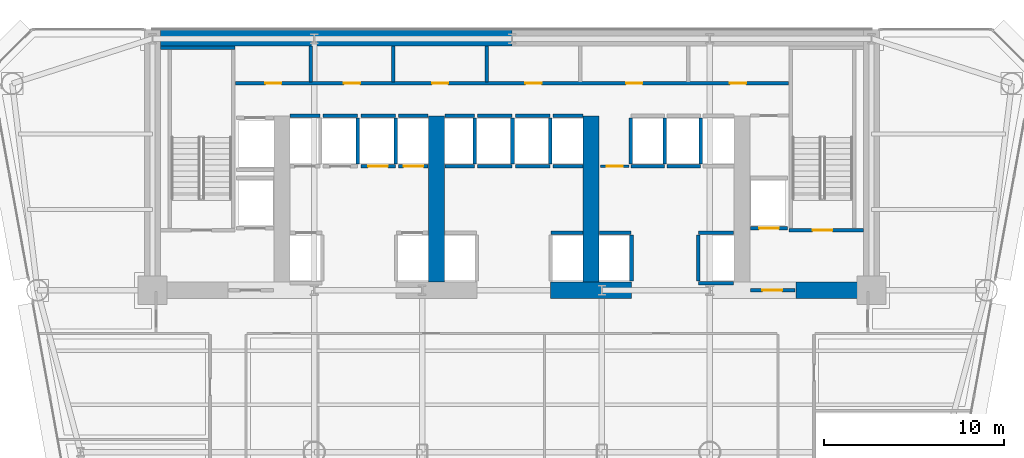
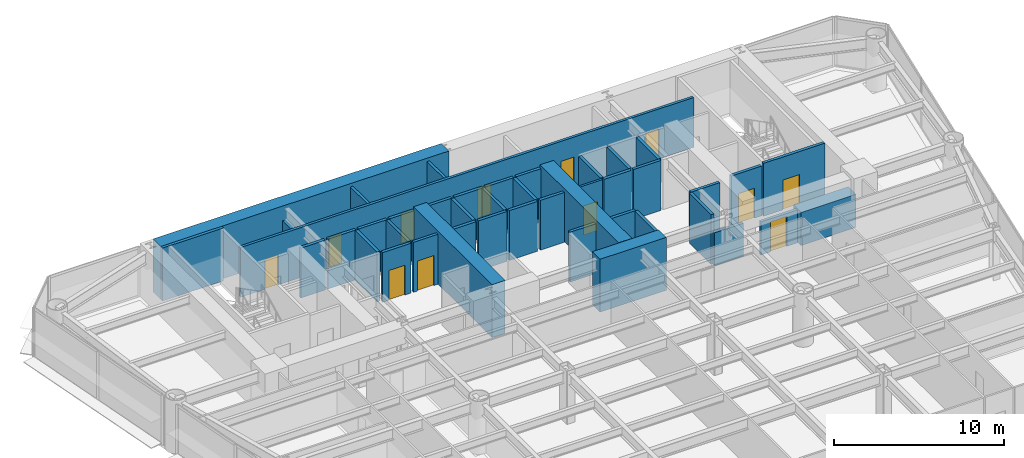
# One storey, part 9 of 14: 44 walls, 12 doors, 12 openings.
"""IFC4 building model written with IfcOpenShell, lengths in metres."""

from ifc_helpers import new_model, si_unit, direction, frame, frame_2d, origin, place, context, subcontext, project, spatial, rectangle, extrude, source, transform, mapped, material, layer, layer_set, type_object, element, fill, save


model = new_model("IFC4")

# Units and contexts
model_context = context("Model", 3, precision=1e-05, world=origin(), true_north=direction((0.0, 1.0)))
body_context = subcontext(model_context, "Body", "Model", "MODEL_VIEW")
ifc_project = project(units=[si_unit("LENGTHUNIT", "METRE"), si_unit("AREAUNIT", "SQUARE_METRE"), si_unit("VOLUMEUNIT", "CUBIC_METRE"), si_unit("PLANEANGLEUNIT", "RADIAN"), si_unit("MASSUNIT", "GRAM", prefix="KILO")], contexts=[model_context])

# Site, building, storey
site_placement = place(None, origin())
site = spatial("IfcSite", under=ifc_project, at=site_placement, CompositionType="ELEMENT")
building_placement = place(site_placement, origin())
building = spatial("IfcBuilding", under=site, at=building_placement, Name="Vaeldorn Concourse Tower", CompositionType="ELEMENT")
storey_placement = place(building_placement, frame((0.0, 0.0, 49.199951171875)))
storey = spatial("IfcBuildingStorey", under=building, at=storey_placement, Name="L12", CompositionType="ELEMENT", Elevation=49.199951171875)

# Walls
ifc_material_1 = material(Name="Concrete C60/75", Category="concrete")
ifc_layer_1 = layer(ifc_material_1, 0.89990234375)
ifc_layer_set_1 = layer_set([ifc_layer_1], Name="Concrete C60/75")
wall_type_1 = type_object("IfcWallType", Name="WL-CORE-900", PredefinedType="SHEAR", material=ifc_layer_set_1)
wall_1_placement = place(storey_placement, frame((14.4541015625, 50.550048828125, 0.0), z_axis=(0.0, 0.0, 1.0), x_axis=(1.0, 0.0, 0.0)))
element("IfcWall", 1, at=wall_1_placement, inside=storey, type_object=wall_type_1, Name="Rear Core Shear Wall L12 N1", PredefinedType="SHEAR", context=body_context, shape_type="SweptSolid", body=[
    extrude(rectangle(XDim=19.5439453125, YDim=0.89990234375, at=frame_2d((9.77197265625, 0.0))), origin(), (0.0, 0.0, 1.0), 3.800048828125),
])
wall_2_placement = place(storey_placement, frame((36.14990234375, 36.5, 0.0), z_axis=(0.0, 0.0, 1.0), x_axis=(1.0, 0.0, 0.0)))
element("IfcWall", 2, at=wall_2_placement, inside=storey, type_object=wall_type_1, Name="Rear Core Shear Wall L12 S3", PredefinedType="SHEAR", context=body_context, shape_type="SweptSolid", body=[
    extrude(rectangle(XDim=4.5, YDim=0.89990234375, at=frame_2d((2.25, 0.0))), origin(), (0.0, 0.0, 1.0), 3.800048828125),
])
wall_3_placement = place(storey_placement, frame((49.800048828125, 36.5, 0.0), z_axis=(0.0, 0.0, 1.0), x_axis=(1.0, 0.0, 0.0)))
element("IfcWall", 3, at=wall_3_placement, inside=storey, type_object=wall_type_1, Name="Rear Core Shear Wall L12 S4", PredefinedType="SHEAR", context=body_context, shape_type="SweptSolid", body=[
    extrude(rectangle(XDim=3.72998046875, YDim=0.89990234375, at=frame_2d((1.864990234375, 0.0))), origin(), (0.0, 0.0, 1.0), 2.380126953125),
])
for number, where, z_axis, x_axis, name in (
    (4, (29.800048828125, 36.969970703125, 0.0), (0.0, 0.0, 1.0), (0.0, 1.0, 0.0), "Rear Core Shear Wall L12 M2"),
    (5, (38.39990234375, 36.969970703125, 0.0), (0.0, 0.0, 1.0), (0.0, 1.0, 0.0), "Rear Core Shear Wall L12 M3"),
):
    element("IfcWall", number, at=place(storey_placement, frame(where, z_axis=z_axis, x_axis=x_axis)), inside=storey, type_object=wall_type_1, Name=name, PredefinedType="SHEAR", context=body_context, shape_type="SweptSolid", body=[
        extrude(rectangle(XDim=9.22998046875, YDim=0.89990234375, at=frame_2d((4.614990234375, 0.0))), origin(), (0.0, 0.0, 1.0), 3.800048828125),
    ])

# Wall, opening, door
ifc_material_2 = material(Name="Gypsum Board Partition", Category="gypsum")
ifc_layer_2 = layer(ifc_material_2, 0.14990234375)
ifc_layer_set_2 = layer_set([ifc_layer_2], Name="Gypsum Board Partition")
wall_type_2 = type_object("IfcWallType", Name="WL-PART-150", PredefinedType="PARTITIONING", material=ifc_layer_set_2)
wall_4_placement = place(storey_placement, frame((38.919921875, 43.39990234375, 0.0), z_axis=(0.0, 0.0, 1.0), x_axis=(1.0, 0.0, 0.0)))
wall_4 = element("IfcWall", 6, at=wall_4_placement, inside=storey, type_object=wall_type_2, Name="Interior Wall CW-L12-CCLINK", PredefinedType="PARTITIONING", context=body_context, shape_type="SweptSolid", body=[
    extrude(rectangle(XDim=1.60009765625, YDim=0.14990234375, at=frame_2d((0.800048828125, 0.0))), origin(), (0.0, 0.0, 1.0), 3.580078125),
])
opening_1_placement = place(wall_4_placement, frame((0.35009765625, 0.0, 0.0)))
opening_1 = element("IfcOpeningElement", 7, at=opening_1_placement, cuts=wall_4, Name="Opening D-02", PredefinedType="OPENING", context=body_context, shape_type="SweptSolid", body=[
    extrude(rectangle(XDim=0.89990234375, YDim=2.10009765625, at=frame_2d((0.449951171875, 1.050048828125))), frame((0.0, 0.0849609375, 0.0), z_axis=(0.0, -1.0, 0.0), x_axis=(1.0, 0.0, 0.0)), (0.0, 0.0, 1.0), 0.169921875),
])
ifc_material_3 = material(Name="Fire-Rated Timber Leaf", Category="wood")
door_type_1 = type_object("IfcDoorType", Name="DR-FD30-900", OperationType="NOTDEFINED", PredefinedType="DOOR", material=ifc_material_3)
shared_shape_1 = source(origin(), body_context, "Body", "SweptSolid", [
    extrude(rectangle(XDim=0.89990234375, YDim=2.10009765625, at=frame_2d((0.449951171875, 1.050048828125))), frame((0.0, 0.02490234375, 0.0), z_axis=(0.0, -1.0, 0.0), x_axis=(1.0, 0.0, 0.0)), (0.0, 0.0, 1.0), 0.050048828125),
])
door_1_placement = place(opening_1_placement, origin())
door_1 = element("IfcDoor", 8, at=door_1_placement, inside=storey, type_object=door_type_1, Name="Interior Door DR-L12-CCLINK", OperationType="SINGLE_SWING_LEFT", OverallHeight=2.10009765625, OverallWidth=0.89990234375, PredefinedType="DOOR", context=body_context, shape_type="MappedRepresentation", body=[
    mapped(shared_shape_1, transform((0.0, 0.0, 0.0), scale=1.0)),
])
fill(opening_1, door_1)

# Wall, openings, doors
ifc_layer_3 = layer(ifc_material_2, 0.179931640625)
ifc_layer_set_3 = layer_set([ifc_layer_3], Name="Gypsum Board Partition")
wall_type_3 = type_object("IfcWallType", Name="WL-PLUMB-180", PredefinedType="PLUMBINGWALL", material=ifc_layer_set_3)
wall_5_placement = place(storey_placement, frame((18.6201171875, 48.02001953125, 0.0), z_axis=(0.0, 0.0, 1.0), x_axis=(1.0, 0.0, 0.0)))
wall_5 = element("IfcWall", 9, at=wall_5_placement, inside=storey, type_object=wall_type_3, Name="Interior Wall CW-L12-NS3", PredefinedType="PLUMBINGWALL", context=body_context, shape_type="SweptSolid", body=[
    extrude(rectangle(XDim=30.759765625, YDim=0.179931640625, at=frame_2d((15.3798828125, 0.0))), origin(), (0.0, 0.0, 1.0), 3.580078125),
])
opening_2_placement = place(wall_5_placement, frame((1.655029296875, 0.0, 0.0)))
opening_2 = element("IfcOpeningElement", 10, at=opening_2_placement, cuts=wall_5, Name="Opening D-03", PredefinedType="OPENING", context=body_context, shape_type="SweptSolid", body=[
    extrude(rectangle(XDim=0.89990234375, YDim=2.14990234375, at=frame_2d((0.449951171875, 1.074951171875))), frame((0.0, 0.10009765625, 0.0), z_axis=(0.0, -1.0, 0.0), x_axis=(1.0, 0.0, 0.0)), (0.0, 0.0, 1.0), 0.199951171875),
])
opening_3_placement = place(wall_5_placement, frame((6.030029296875, 0.0, 0.0)))
opening_3 = element("IfcOpeningElement", 11, at=opening_3_placement, cuts=wall_5, Name="Opening D-03", PredefinedType="OPENING", context=body_context, shape_type="SweptSolid", body=[
    extrude(rectangle(XDim=0.89990234375, YDim=2.14990234375, at=frame_2d((0.449951171875, 1.074951171875))), frame((0.0, 0.10009765625, 0.0), z_axis=(0.0, -1.0, 0.0), x_axis=(1.0, 0.0, 0.0)), (0.0, 0.0, 1.0), 0.199951171875),
])
opening_4_placement = place(wall_5_placement, frame((10.929931640625, 0.0, 0.0)))
opening_4 = element("IfcOpeningElement", 12, at=opening_4_placement, cuts=wall_5, Name="Opening D-03", PredefinedType="OPENING", context=body_context, shape_type="SweptSolid", body=[
    extrude(rectangle(XDim=0.89990234375, YDim=2.14990234375, at=frame_2d((0.449951171875, 1.074951171875))), frame((0.0, 0.10009765625, 0.0), z_axis=(0.0, -1.0, 0.0), x_axis=(1.0, 0.0, 0.0)), (0.0, 0.0, 1.0), 0.199951171875),
])
opening_5_placement = place(wall_5_placement, frame((16.1298828125, 0.0, 0.0)))
opening_5 = element("IfcOpeningElement", 13, at=opening_5_placement, cuts=wall_5, Name="Opening D-03", PredefinedType="OPENING", context=body_context, shape_type="SweptSolid", body=[
    extrude(rectangle(XDim=0.89990234375, YDim=2.14990234375, at=frame_2d((0.449951171875, 1.074951171875))), frame((0.0, 0.10009765625, 0.0), z_axis=(0.0, -1.0, 0.0), x_axis=(1.0, 0.0, 0.0)), (0.0, 0.0, 1.0), 0.199951171875),
])
opening_6_placement = place(wall_5_placement, frame((21.72998046875, 0.0, 0.0)))
opening_6 = element("IfcOpeningElement", 14, at=opening_6_placement, cuts=wall_5, Name="Opening D-03", PredefinedType="OPENING", context=body_context, shape_type="SweptSolid", body=[
    extrude(rectangle(XDim=0.89990234375, YDim=2.14990234375, at=frame_2d((0.449951171875, 1.074951171875))), frame((0.0, 0.10009765625, 0.0), z_axis=(0.0, -1.0, 0.0), x_axis=(1.0, 0.0, 0.0)), (0.0, 0.0, 1.0), 0.199951171875),
])
opening_7_placement = place(wall_5_placement, frame((27.5048828125, 0.0, 0.0)))
opening_7 = element("IfcOpeningElement", 15, at=opening_7_placement, cuts=wall_5, Name="Opening D-03", PredefinedType="OPENING", context=body_context, shape_type="SweptSolid", body=[
    extrude(rectangle(XDim=0.89990234375, YDim=2.14990234375, at=frame_2d((0.449951171875, 1.074951171875))), frame((0.0, 0.10009765625, 0.0), z_axis=(0.0, -1.0, 0.0), x_axis=(1.0, 0.0, 0.0)), (0.0, 0.0, 1.0), 0.199951171875),
])
ifc_material_4 = material(Name="Acoustic Bronze-Framed Glass Door", Category="glass")
door_type_2 = type_object("IfcDoorType", Name="DR-INT-900", OperationType="NOTDEFINED", PredefinedType="DOOR", material=ifc_material_4)
shared_shape_2 = source(origin(), body_context, "Body", "SweptSolid", [
    extrude(rectangle(XDim=0.89990234375, YDim=2.14990234375, at=frame_2d((0.449951171875, 1.074951171875))), frame((0.0, 0.02490234375, 0.0), z_axis=(0.0, -1.0, 0.0), x_axis=(1.0, 0.0, 0.0)), (0.0, 0.0, 1.0), 0.050048828125),
])
door_2_placement = place(opening_2_placement, origin())
door_2 = element("IfcDoor", 16, at=door_2_placement, inside=storey, type_object=door_type_2, Name="Interior Door DR-L12-CS1", OperationType="SINGLE_SWING_LEFT", OverallHeight=2.14990234375, OverallWidth=0.89990234375, PredefinedType="DOOR", context=body_context, shape_type="MappedRepresentation", body=[
    mapped(shared_shape_2, transform((0.0, 0.0, 0.0), scale=1.0)),
])
fill(opening_2, door_2)
door_3_placement = place(opening_3_placement, origin())
door_3 = element("IfcDoor", 17, at=door_3_placement, inside=storey, type_object=door_type_2, Name="Interior Door DR-L12-CS2", OperationType="SINGLE_SWING_RIGHT", OverallHeight=2.14990234375, OverallWidth=0.89990234375, PredefinedType="DOOR", context=body_context, shape_type="MappedRepresentation", body=[
    mapped(shared_shape_2, transform((0.0, 0.0, 0.0), scale=1.0)),
])
fill(opening_3, door_3)
door_4_placement = place(opening_4_placement, origin())
door_4 = element("IfcDoor", 18, at=door_4_placement, inside=storey, type_object=door_type_2, Name="Interior Door DR-L12-CS3", OperationType="SINGLE_SWING_LEFT", OverallHeight=2.14990234375, OverallWidth=0.89990234375, PredefinedType="DOOR", context=body_context, shape_type="MappedRepresentation", body=[
    mapped(shared_shape_2, transform((0.0, 0.0, 0.0), scale=1.0)),
])
fill(opening_4, door_4)
door_5_placement = place(opening_5_placement, origin())
door_5 = element("IfcDoor", 19, at=door_5_placement, inside=storey, type_object=door_type_2, Name="Interior Door DR-L12-CS4", OperationType="SINGLE_SWING_RIGHT", OverallHeight=2.14990234375, OverallWidth=0.89990234375, PredefinedType="DOOR", context=body_context, shape_type="MappedRepresentation", body=[
    mapped(shared_shape_2, transform((0.0, 0.0, 0.0), scale=1.0)),
])
fill(opening_5, door_5)
door_6_placement = place(opening_6_placement, origin())
door_6 = element("IfcDoor", 20, at=door_6_placement, inside=storey, type_object=door_type_2, Name="Interior Door DR-L12-CS5", OperationType="SINGLE_SWING_LEFT", OverallHeight=2.14990234375, OverallWidth=0.89990234375, PredefinedType="DOOR", context=body_context, shape_type="MappedRepresentation", body=[
    mapped(shared_shape_2, transform((0.0, 0.0, 0.0), scale=1.0)),
])
fill(opening_6, door_6)
door_7_placement = place(opening_7_placement, origin())
door_7 = element("IfcDoor", 21, at=door_7_placement, inside=storey, type_object=door_type_2, Name="Interior Door DR-L12-CS6", OperationType="SINGLE_SWING_RIGHT", OverallHeight=2.14990234375, OverallWidth=0.89990234375, PredefinedType="DOOR", context=body_context, shape_type="MappedRepresentation", body=[
    mapped(shared_shape_2, transform((0.0, 0.0, 0.0), scale=1.0)),
])
fill(opening_7, door_7)

# Walls
wall_6_placement = place(storey_placement, frame((22.800048828125, 48.10009765625, 0.0), z_axis=(0.0, 0.0, 1.0), x_axis=(0.0, 1.0, 0.0)))
element("IfcWall", 22, at=wall_6_placement, inside=storey, type_object=wall_type_3, Name="Interior Wall CW-L12-NDIV1", PredefinedType="PLUMBINGWALL", context=body_context, shape_type="SweptSolid", body=[
    extrude(rectangle(XDim=1.97998046875, YDim=0.179931640625, at=frame_2d((0.989990234375, 0.0))), origin(), (0.0, 0.0, 1.0), 2.77001953125),
])
for number, where, z_axis, x_axis, name in (
    (23, (27.39990234375, 48.10009765625, 0.0), (0.0, 0.0, 1.0), (0.0, 1.0, 0.0), "Interior Wall CW-L12-NDIV2"),
    (24, (32.60009765625, 48.10009765625, 0.0), (0.0, 0.0, 1.0), (0.0, 1.0, 0.0), "Interior Wall CW-L12-NDIV3"),
):
    element("IfcWall", number, at=place(storey_placement, frame(where, z_axis=z_axis, x_axis=x_axis)), inside=storey, type_object=wall_type_3, Name=name, PredefinedType="PLUMBINGWALL", context=body_context, shape_type="SweptSolid", body=[
        extrude(rectangle(XDim=1.97998046875, YDim=0.179931640625, at=frame_2d((0.989990234375, 0.0))), origin(), (0.0, 0.0, 1.0), 3.580078125),
    ])
ifc_material_5 = material(Name="Concrete C50/60", Category="concrete")
ifc_layer_4 = layer(ifc_material_5, 0.199951171875)
ifc_layer_set_4 = layer_set([ifc_layer_4], Name="Concrete C50/60")
wall_type_4 = type_object("IfcWallType", Name="WL-SHAFT-200", PredefinedType="SOLIDWALL", material=ifc_layer_set_4)
wall_7_placement = place(storey_placement, frame((14.449951171875, 50.0, 0.0), z_axis=(0.0, 0.0, 1.0), x_axis=(1.0, 0.0, 0.0)))
element("IfcWall", 25, at=wall_7_placement, inside=storey, type_object=wall_type_4, Name="Stair Shaft Wall CW-L12-ST-1-N", PredefinedType="SOLIDWALL", context=body_context, shape_type="SweptSolid", body=[
    extrude(rectangle(XDim=4.150146484375, YDim=0.199951171875, at=frame_2d((2.0751953125, 0.0))), origin(), (0.0, 0.0, 1.0), 3.800048828125),
])

# Wall, opening, door
wall_8_placement = place(storey_placement, frame((49.39990234375, 39.85009765625, 0.0), z_axis=(0.0, 0.0, 1.0), x_axis=(1.0, 0.0, 0.0)))
wall_8 = element("IfcWall", 26, at=wall_8_placement, inside=storey, type_object=wall_type_4, Name="Stair Shaft Wall CW-L12-ST-2-S", PredefinedType="SOLIDWALL", context=body_context, shape_type="SweptSolid", body=[
    extrude(rectangle(XDim=4.150146484375, YDim=0.199951171875, at=frame_2d((2.0751953125, 0.0))), origin(), (0.0, 0.0, 1.0), 3.800048828125),
])
opening_8_placement = place(wall_8_placement, frame((1.324951171875, 0.0, 0.0)))
opening_8 = element("IfcOpeningElement", 27, at=opening_8_placement, cuts=wall_8, Name="Opening D-01", PredefinedType="OPENING", context=body_context, shape_type="SweptSolid", body=[
    extrude(rectangle(XDim=1.10009765625, YDim=2.14990234375, at=frame_2d((0.550048828125, 1.074951171875))), frame((0.0, 0.10986328125, 0.0), z_axis=(0.0, -1.0, 0.0), x_axis=(1.0, 0.0, 0.0)), (0.0, 0.0, 1.0), 0.219970703125),
])
ifc_material_6 = material(Name="Fire-Rated Timber and Steel Leaf", Category="steel")
door_type_3 = type_object("IfcDoorType", Name="DR-FD60-1100", OperationType="NOTDEFINED", PredefinedType="DOOR", material=ifc_material_6)
shared_shape_3 = source(origin(), body_context, "Body", "SweptSolid", [
    extrude(rectangle(XDim=1.10009765625, YDim=2.14990234375, at=frame_2d((0.550048828125, 1.074951171875))), frame((0.0, 0.02490234375, 0.0), z_axis=(0.0, -1.0, 0.0), x_axis=(1.0, 0.0, 0.0)), (0.0, 0.0, 1.0), 0.050048828125),
])
door_8_placement = place(opening_8_placement, origin())
door_8 = element("IfcDoor", 28, at=door_8_placement, inside=storey, type_object=door_type_3, Name="Interior Door DR-L12-ST-2", OperationType="SINGLE_SWING_RIGHT", OverallHeight=2.14990234375, OverallWidth=1.10009765625, PredefinedType="DOOR", context=body_context, shape_type="MappedRepresentation", body=[
    mapped(shared_shape_3, transform((0.0, 0.0, 0.0), scale=1.0)),
])
fill(opening_8, door_8)

wall_9_placement = place(storey_placement, frame((47.280029296875, 36.5, 0.0), z_axis=(0.0, 0.0, 1.0), x_axis=(1.0, 0.0, 0.0)))
wall_9 = element("IfcWall", 29, at=wall_9_placement, inside=storey, type_object=wall_type_4, Name="Interior Wall CW-L12-FF2S", PredefinedType="SOLIDWALL", context=body_context, shape_type="SweptSolid", body=[
    extrude(rectangle(XDim=2.469970703125, YDim=0.199951171875, at=frame_2d((1.23486328125, 0.0))), origin(), (0.0, 0.0, 1.0), 2.3701171875),
])
opening_9_placement = place(wall_9_placement, frame((0.64990234375, 0.0, 0.0)))
opening_9 = element("IfcOpeningElement", 30, at=opening_9_placement, cuts=wall_9, Name="Opening D-01", PredefinedType="OPENING", context=body_context, shape_type="SweptSolid", body=[
    extrude(rectangle(XDim=1.10009765625, YDim=2.14990234375, at=frame_2d((0.550048828125, 1.074951171875))), frame((0.0, 0.10986328125, 0.0), z_axis=(0.0, -1.0, 0.0), x_axis=(1.0, 0.0, 0.0)), (0.0, 0.0, 1.0), 0.219970703125),
])
door_9_placement = place(opening_9_placement, origin())
door_9 = element("IfcDoor", 31, at=door_9_placement, inside=storey, type_object=door_type_3, Name="Interior Door DR-L12-FF2W", OperationType="SINGLE_SWING_LEFT", OverallHeight=2.14990234375, OverallWidth=1.10009765625, PredefinedType="DOOR", context=body_context, shape_type="MappedRepresentation", body=[
    mapped(shared_shape_3, transform((0.0, 0.0, 0.0), scale=1.0)),
])
fill(opening_9, door_9)

# Walls
wall_10_placement = place(storey_placement, frame((21.659912109375, 46.199951171875, 0.0), z_axis=(0.0, 0.0, 1.0), x_axis=(1.0, 0.0, 0.0)))
element("IfcWall", 32, at=wall_10_placement, inside=storey, type_object=wall_type_4, Name="Interior Wall CW-L12-LFB-LF-03", PredefinedType="SOLIDWALL", context=body_context, shape_type="SweptSolid", body=[
    extrude(rectangle(XDim=1.650146484375, YDim=0.199951171875, at=frame_2d((0.8251953125, 0.0))), origin(), (0.0, 0.0, 1.0), 3.580078125),
])
wall_11_placement = place(storey_placement, frame((23.489990234375, 46.199951171875, 0.0), z_axis=(0.0, 0.0, 1.0), x_axis=(1.0, 0.0, 0.0)))
element("IfcWall", 33, at=wall_11_placement, inside=storey, type_object=wall_type_4, Name="Interior Wall CW-L12-LFB-LF-04", PredefinedType="SOLIDWALL", context=body_context, shape_type="SweptSolid", body=[
    extrude(rectangle(XDim=1.919921875, YDim=0.199951171875, at=frame_2d((0.9599609375, 0.0))), origin(), (0.0, 0.0, 1.0), 3.580078125),
])
wall_12_placement = place(storey_placement, frame((25.429931640625, 43.52001953125, 0.0), z_axis=(0.0, 0.0, 1.0), x_axis=(0.0, 1.0, 0.0)))
element("IfcWall", 34, at=wall_12_placement, inside=storey, type_object=wall_type_4, Name="Interior Wall CW-L12-LFE-LF-04", PredefinedType="SOLIDWALL", context=body_context, shape_type="SweptSolid", body=[
    extrude(rectangle(XDim=2.56005859375, YDim=0.199951171875, at=frame_2d((1.280029296875, 0.0))), origin(), (0.0, 0.0, 1.0), 3.580078125),
])

# Wall, opening, door
wall_13_placement = place(storey_placement, frame((25.590087890625, 43.39990234375, 0.0), z_axis=(0.0, 0.0, 1.0), x_axis=(1.0, 0.0, 0.0)))
wall_13 = element("IfcWall", 35, at=wall_13_placement, inside=storey, type_object=wall_type_4, Name="Interior Wall CW-L12-LF-LF-05", PredefinedType="SOLIDWALL", context=body_context, shape_type="SweptSolid", body=[
    extrude(rectangle(XDim=1.919921875, YDim=0.199951171875, at=frame_2d((0.9599609375, 0.0))), origin(), (0.0, 0.0, 1.0), 3.580078125),
])
opening_10_placement = place(wall_13_placement, frame((0.409912109375, 0.0, 0.0)))
opening_10 = element("IfcOpeningElement", 36, at=opening_10_placement, cuts=wall_13, Name="Opening LD-1", PredefinedType="OPENING", context=body_context, shape_type="SweptSolid", body=[
    extrude(rectangle(XDim=1.10009765625, YDim=2.14990234375, at=frame_2d((0.550048828125, 1.074951171875))), frame((0.0, 0.10986328125, 0.0), z_axis=(0.0, -1.0, 0.0), x_axis=(1.0, 0.0, 0.0)), (0.0, 0.0, 1.0), 0.219970703125),
])
ifc_material_7 = material(Name="Anodised Bronze Aluminium", Category="aluminium")
door_type_4 = type_object("IfcDoorType", Name="DR-LIFT-SLIDE-1100", OperationType="DOUBLE_DOOR_SLIDING", PredefinedType="DOOR", material=ifc_material_7)
door_10_placement = place(opening_10_placement, origin())
door_10 = element("IfcDoor", 37, at=door_10_placement, inside=storey, type_object=door_type_4, Name="Lift Landing Door LD-L12-LF-05", OperationType="DOUBLE_DOOR_SLIDING", OverallHeight=2.14990234375, OverallWidth=1.10009765625, PredefinedType="DOOR", context=body_context, shape_type="MappedRepresentation", body=[
    mapped(shared_shape_3, transform((0.0, 0.0, 0.0), scale=1.0)),
])
fill(opening_10, door_10)

# Walls
wall_14_placement = place(storey_placement, frame((25.590087890625, 46.199951171875, 0.0), z_axis=(0.0, 0.0, 1.0), x_axis=(1.0, 0.0, 0.0)))
element("IfcWall", 38, at=wall_14_placement, inside=storey, type_object=wall_type_4, Name="Interior Wall CW-L12-LFB-LF-05", PredefinedType="SOLIDWALL", context=body_context, shape_type="SweptSolid", body=[
    extrude(rectangle(XDim=1.919921875, YDim=0.199951171875, at=frame_2d((0.9599609375, 0.0))), origin(), (0.0, 0.0, 1.0), 3.580078125),
])
wall_15_placement = place(storey_placement, frame((27.530029296875, 43.52001953125, 0.0), z_axis=(0.0, 0.0, 1.0), x_axis=(0.0, 1.0, 0.0)))
element("IfcWall", 39, at=wall_15_placement, inside=storey, type_object=wall_type_4, Name="Interior Wall CW-L12-LFE-LF-05", PredefinedType="SOLIDWALL", context=body_context, shape_type="SweptSolid", body=[
    extrude(rectangle(XDim=2.56005859375, YDim=0.199951171875, at=frame_2d((1.280029296875, 0.0))), origin(), (0.0, 0.0, 1.0), 3.580078125),
])

# Wall, opening, door
wall_16_placement = place(storey_placement, frame((27.68994140625, 43.39990234375, 0.0), z_axis=(0.0, 0.0, 1.0), x_axis=(1.0, 0.0, 0.0)))
wall_16 = element("IfcWall", 40, at=wall_16_placement, inside=storey, type_object=wall_type_4, Name="Interior Wall CW-L12-LF-LF-06", PredefinedType="SOLIDWALL", context=body_context, shape_type="SweptSolid", body=[
    extrude(rectangle(XDim=1.650146484375, YDim=0.199951171875, at=frame_2d((0.8251953125, 0.0))), origin(), (0.0, 0.0, 1.0), 3.580078125),
])
opening_11_placement = place(wall_16_placement, frame((0.27490234375, 0.0, 0.0)))
opening_11 = element("IfcOpeningElement", 41, at=opening_11_placement, cuts=wall_16, Name="Opening LD-1", PredefinedType="OPENING", context=body_context, shape_type="SweptSolid", body=[
    extrude(rectangle(XDim=1.10009765625, YDim=2.14990234375, at=frame_2d((0.550048828125, 1.074951171875))), frame((0.0, 0.10986328125, 0.0), z_axis=(0.0, -1.0, 0.0), x_axis=(1.0, 0.0, 0.0)), (0.0, 0.0, 1.0), 0.219970703125),
])
door_11_placement = place(opening_11_placement, origin())
door_11 = element("IfcDoor", 42, at=door_11_placement, inside=storey, type_object=door_type_4, Name="Lift Landing Door LD-L12-LF-06", OperationType="DOUBLE_DOOR_SLIDING", OverallHeight=2.14990234375, OverallWidth=1.10009765625, PredefinedType="DOOR", context=body_context, shape_type="MappedRepresentation", body=[
    mapped(shared_shape_3, transform((0.0, 0.0, 0.0), scale=1.0)),
])
fill(opening_11, door_11)

# Walls
wall_17_placement = place(storey_placement, frame((27.68994140625, 46.199951171875, 0.0), z_axis=(0.0, 0.0, 1.0), x_axis=(1.0, 0.0, 0.0)))
element("IfcWall", 43, at=wall_17_placement, inside=storey, type_object=wall_type_4, Name="Interior Wall CW-L12-LFB-LF-06", PredefinedType="SOLIDWALL", context=body_context, shape_type="SweptSolid", body=[
    extrude(rectangle(XDim=1.650146484375, YDim=0.199951171875, at=frame_2d((0.8251953125, 0.0))), origin(), (0.0, 0.0, 1.0), 3.580078125),
])
wall_18_placement = place(storey_placement, frame((36.169921875, 39.699951171875, 0.0), z_axis=(0.0, 0.0, 1.0), x_axis=(1.0, 0.0, 0.0)))
element("IfcWall", 44, at=wall_18_placement, inside=storey, type_object=wall_type_4, Name="Interior Wall CW-L12-LF-LF-08", PredefinedType="SOLIDWALL", context=body_context, shape_type="SweptSolid", body=[
    extrude(rectangle(XDim=1.77001953125, YDim=0.199951171875, at=frame_2d((0.885009765625, 0.0))), origin(), (0.0, 0.0, 1.0), 3.580078125),
])
for number, where, z_axis, x_axis, name in (
    (45, (30.260009765625, 43.39990234375, 0.0), (0.0, 0.0, 1.0), (1.0, 0.0, 0.0), "Interior Wall CW-L12-LF-LF-09"),
    (46, (30.260009765625, 46.199951171875, 0.0), (0.0, 0.0, 1.0), (1.0, 0.0, 0.0), "Interior Wall CW-L12-LFB-LF-09"),
):
    element("IfcWall", number, at=place(storey_placement, frame(where, z_axis=z_axis, x_axis=x_axis)), inside=storey, type_object=wall_type_4, Name=name, PredefinedType="SOLIDWALL", context=body_context, shape_type="SweptSolid", body=[
        extrude(rectangle(XDim=1.64990234375, YDim=0.199951171875, at=frame_2d((0.824951171875, 0.0))), origin(), (0.0, 0.0, 1.0), 3.580078125),
    ])
wall_19_placement = place(storey_placement, frame((31.929931640625, 43.52001953125, 0.0), z_axis=(0.0, 0.0, 1.0), x_axis=(0.0, 1.0, 0.0)))
element("IfcWall", 47, at=wall_19_placement, inside=storey, type_object=wall_type_4, Name="Interior Wall CW-L12-LFE-LF-09", PredefinedType="SOLIDWALL", context=body_context, shape_type="SweptSolid", body=[
    extrude(rectangle(XDim=2.56005859375, YDim=0.199951171875, at=frame_2d((1.280029296875, 0.0))), origin(), (0.0, 0.0, 1.0), 3.580078125),
])
for number, where, z_axis, x_axis, name in (
    (48, (32.090087890625, 43.39990234375, 0.0), (0.0, 0.0, 1.0), (1.0, 0.0, 0.0), "Interior Wall CW-L12-LF-LF-10"),
    (49, (32.090087890625, 46.199951171875, 0.0), (0.0, 0.0, 1.0), (1.0, 0.0, 0.0), "Interior Wall CW-L12-LFB-LF-10"),
):
    element("IfcWall", number, at=place(storey_placement, frame(where, z_axis=z_axis, x_axis=x_axis)), inside=storey, type_object=wall_type_4, Name=name, PredefinedType="SOLIDWALL", context=body_context, shape_type="SweptSolid", body=[
        extrude(rectangle(XDim=1.919921875, YDim=0.199951171875, at=frame_2d((0.9599609375, 0.0))), origin(), (0.0, 0.0, 1.0), 3.580078125),
    ])
wall_20_placement = place(storey_placement, frame((34.030029296875, 43.52001953125, 0.0), z_axis=(0.0, 0.0, 1.0), x_axis=(0.0, 1.0, 0.0)))
element("IfcWall", 50, at=wall_20_placement, inside=storey, type_object=wall_type_4, Name="Interior Wall CW-L12-LFE-LF-10", PredefinedType="SOLIDWALL", context=body_context, shape_type="SweptSolid", body=[
    extrude(rectangle(XDim=2.56005859375, YDim=0.199951171875, at=frame_2d((1.280029296875, 0.0))), origin(), (0.0, 0.0, 1.0), 3.580078125),
])
for number, where, z_axis, x_axis, name in (
    (51, (34.18994140625, 43.39990234375, 0.0), (0.0, 0.0, 1.0), (1.0, 0.0, 0.0), "Interior Wall CW-L12-LF-LF-11"),
    (52, (34.18994140625, 46.199951171875, 0.0), (0.0, 0.0, 1.0), (1.0, 0.0, 0.0), "Interior Wall CW-L12-LFB-LF-11"),
):
    element("IfcWall", number, at=place(storey_placement, frame(where, z_axis=z_axis, x_axis=x_axis)), inside=storey, type_object=wall_type_4, Name=name, PredefinedType="SOLIDWALL", context=body_context, shape_type="SweptSolid", body=[
        extrude(rectangle(XDim=1.920166015625, YDim=0.199951171875, at=frame_2d((0.9599609375, 0.0))), origin(), (0.0, 0.0, 1.0), 3.580078125),
    ])
wall_21_placement = place(storey_placement, frame((36.1298828125, 43.52001953125, 0.0), z_axis=(0.0, 0.0, 1.0), x_axis=(0.0, 1.0, 0.0)))
element("IfcWall", 53, at=wall_21_placement, inside=storey, type_object=wall_type_4, Name="Interior Wall CW-L12-LFE-LF-11", PredefinedType="SOLIDWALL", context=body_context, shape_type="SweptSolid", body=[
    extrude(rectangle(XDim=2.56005859375, YDim=0.199951171875, at=frame_2d((1.280029296875, 0.0))), origin(), (0.0, 0.0, 1.0), 3.580078125),
])
for number, where, z_axis, x_axis, name in (
    (54, (36.2900390625, 43.39990234375, 0.0), (0.0, 0.0, 1.0), (1.0, 0.0, 0.0), "Interior Wall CW-L12-LF-LF-12"),
    (55, (36.2900390625, 46.199951171875, 0.0), (0.0, 0.0, 1.0), (1.0, 0.0, 0.0), "Interior Wall CW-L12-LFB-LF-12"),
):
    element("IfcWall", number, at=place(storey_placement, frame(where, z_axis=z_axis, x_axis=x_axis)), inside=storey, type_object=wall_type_4, Name=name, PredefinedType="SOLIDWALL", context=body_context, shape_type="SweptSolid", body=[
        extrude(rectangle(XDim=1.64990234375, YDim=0.199951171875, at=frame_2d((0.824951171875, 0.0))), origin(), (0.0, 0.0, 1.0), 3.580078125),
    ])
wall_22_placement = place(storey_placement, frame((38.860107421875, 39.699951171875, 0.0), z_axis=(0.0, 0.0, 1.0), x_axis=(1.0, 0.0, 0.0)))
element("IfcWall", 56, at=wall_22_placement, inside=storey, type_object=wall_type_4, Name="Interior Wall CW-L12-LF-LF-13", PredefinedType="SOLIDWALL", context=body_context, shape_type="SweptSolid", body=[
    extrude(rectangle(XDim=1.769775390625, YDim=0.199951171875, at=frame_2d((0.884765625, 0.0))), origin(), (0.0, 0.0, 1.0), 3.580078125),
])
wall_23_placement = place(storey_placement, frame((40.64990234375, 37.02001953125, 0.0), z_axis=(0.0, 0.0, 1.0), x_axis=(0.0, 1.0, 0.0)))
element("IfcWall", 57, at=wall_23_placement, inside=storey, type_object=wall_type_4, Name="Interior Wall CW-L12-LFE-LF-13", PredefinedType="SOLIDWALL", context=body_context, shape_type="SweptSolid", body=[
    extrude(rectangle(XDim=2.56005859375, YDim=0.199951171875, at=frame_2d((1.280029296875, 0.0))), origin(), (0.0, 0.0, 1.0), 3.580078125),
])
wall_24_placement = place(storey_placement, frame((44.3701171875, 39.699951171875, 0.0), z_axis=(0.0, 0.0, 1.0), x_axis=(1.0, 0.0, 0.0)))
element("IfcWall", 58, at=wall_24_placement, inside=storey, type_object=wall_type_4, Name="Interior Wall CW-L12-LF-LF-14", PredefinedType="SOLIDWALL", context=body_context, shape_type="SweptSolid", body=[
    extrude(rectangle(XDim=1.9599609375, YDim=0.199951171875, at=frame_2d((0.97998046875, 0.0))), origin(), (0.0, 0.0, 1.0), 3.580078125),
])
wall_25_placement = place(storey_placement, frame((44.3701171875, 36.89990234375, 0.0), z_axis=(0.0, 0.0, 1.0), x_axis=(1.0, 0.0, 0.0)))
element("IfcWall", 59, at=wall_25_placement, inside=storey, type_object=wall_type_4, Name="Interior Wall CW-L12-LFB-LF-14", PredefinedType="SOLIDWALL", context=body_context, shape_type="SweptSolid", body=[
    extrude(rectangle(XDim=1.9599609375, YDim=0.199951171875, at=frame_2d((0.97998046875, 0.0))), origin(), (0.0, 0.0, 1.0), 2.3701171875),
])
wall_26_placement = place(storey_placement, frame((44.35009765625, 37.02001953125, 0.0), z_axis=(0.0, 0.0, 1.0), x_axis=(0.0, 1.0, 0.0)))
element("IfcWall", 60, at=wall_26_placement, inside=storey, type_object=wall_type_4, Name="Interior Wall CW-L12-LFW-LF-14", PredefinedType="SOLIDWALL", context=body_context, shape_type="SweptSolid", body=[
    extrude(rectangle(XDim=2.56005859375, YDim=0.199951171875, at=frame_2d((1.280029296875, 0.0))), origin(), (0.0, 0.0, 1.0), 3.580078125),
])
wall_27_placement = place(storey_placement, frame((40.6201171875, 43.39990234375, 0.0), z_axis=(0.0, 0.0, 1.0), x_axis=(1.0, 0.0, 0.0)))
element("IfcWall", 61, at=wall_27_placement, inside=storey, type_object=wall_type_4, Name="Interior Wall CW-L12-LF-LF-15", PredefinedType="SOLIDWALL", context=body_context, shape_type="SweptSolid", body=[
    extrude(rectangle(XDim=1.85986328125, YDim=0.199951171875, at=frame_2d((0.929931640625, 0.0))), origin(), (0.0, 0.0, 1.0), 3.580078125),
])
for number, where, z_axis, x_axis, name in (
    (62, (40.60009765625, 43.52001953125, 0.0), (0.0, 0.0, 1.0), (0.0, 1.0, 0.0), "Interior Wall CW-L12-LFW-LF-15"),
    (63, (42.5, 43.52001953125, 0.0), (0.0, 0.0, 1.0), (0.0, 1.0, 0.0), "Interior Wall CW-L12-LFE-LF-15"),
):
    element("IfcWall", number, at=place(storey_placement, frame(where, z_axis=z_axis, x_axis=x_axis)), inside=storey, type_object=wall_type_4, Name=name, PredefinedType="SOLIDWALL", context=body_context, shape_type="SweptSolid", body=[
        extrude(rectangle(XDim=2.56005859375, YDim=0.199951171875, at=frame_2d((1.280029296875, 0.0))), origin(), (0.0, 0.0, 1.0), 3.580078125),
    ])
wall_28_placement = place(storey_placement, frame((42.6201171875, 43.39990234375, 0.0), z_axis=(0.0, 0.0, 1.0), x_axis=(1.0, 0.0, 0.0)))
element("IfcWall", 64, at=wall_28_placement, inside=storey, type_object=wall_type_4, Name="Interior Wall CW-L12-LF-LF-16", PredefinedType="SOLIDWALL", context=body_context, shape_type="SweptSolid", body=[
    extrude(rectangle(XDim=1.85986328125, YDim=0.199951171875, at=frame_2d((0.929931640625, 0.0))), origin(), (0.0, 0.0, 1.0), 3.580078125),
])
wall_29_placement = place(storey_placement, frame((44.5, 43.52001953125, 0.0), z_axis=(0.0, 0.0, 1.0), x_axis=(0.0, 1.0, 0.0)))
element("IfcWall", 65, at=wall_29_placement, inside=storey, type_object=wall_type_4, Name="Interior Wall CW-L12-LFE-LF-16", PredefinedType="SOLIDWALL", context=body_context, shape_type="SweptSolid", body=[
    extrude(rectangle(XDim=2.56005859375, YDim=0.199951171875, at=frame_2d((1.280029296875, 0.0))), origin(), (0.0, 0.0, 1.0), 3.580078125),
])

# Wall, opening, door
wall_30_placement = place(storey_placement, frame((47.260009765625, 39.949951171875, 0.0), z_axis=(0.0, 0.0, 1.0), x_axis=(1.0, 0.0, 0.0)))
wall_30 = element("IfcWall", 66, at=wall_30_placement, inside=storey, type_object=wall_type_4, Name="Interior Wall CW-L12-LF-LF-FF2", PredefinedType="SOLIDWALL", context=body_context, shape_type="SweptSolid", body=[
    extrude(rectangle(XDim=2.070068359375, YDim=0.199951171875, at=frame_2d((1.03515625, 0.0))), origin(), (0.0, 0.0, 1.0), 3.580078125),
])
opening_12_placement = place(wall_30_placement, frame((0.485107421875, 0.0, 0.0)))
opening_12 = element("IfcOpeningElement", 67, at=opening_12_placement, cuts=wall_30, Name="Opening LD-1", PredefinedType="OPENING", context=body_context, shape_type="SweptSolid", body=[
    extrude(rectangle(XDim=1.10009765625, YDim=2.14990234375, at=frame_2d((0.550048828125, 1.074951171875))), frame((0.0, 0.10986328125, 0.0), z_axis=(0.0, -1.0, 0.0), x_axis=(1.0, 0.0, 0.0)), (0.0, 0.0, 1.0), 0.219970703125),
])
door_12_placement = place(opening_12_placement, origin())
door_12 = element("IfcDoor", 68, at=door_12_placement, inside=storey, type_object=door_type_4, Name="Lift Landing Door LD-L12-LF-FF2", OperationType="DOUBLE_DOOR_SLIDING", OverallHeight=2.14990234375, OverallWidth=1.10009765625, PredefinedType="DOOR", context=body_context, shape_type="MappedRepresentation", body=[
    mapped(shared_shape_3, transform((0.0, 0.0, 0.0), scale=1.0)),
])
fill(opening_12, door_12)

save(model, "model.ifc")
